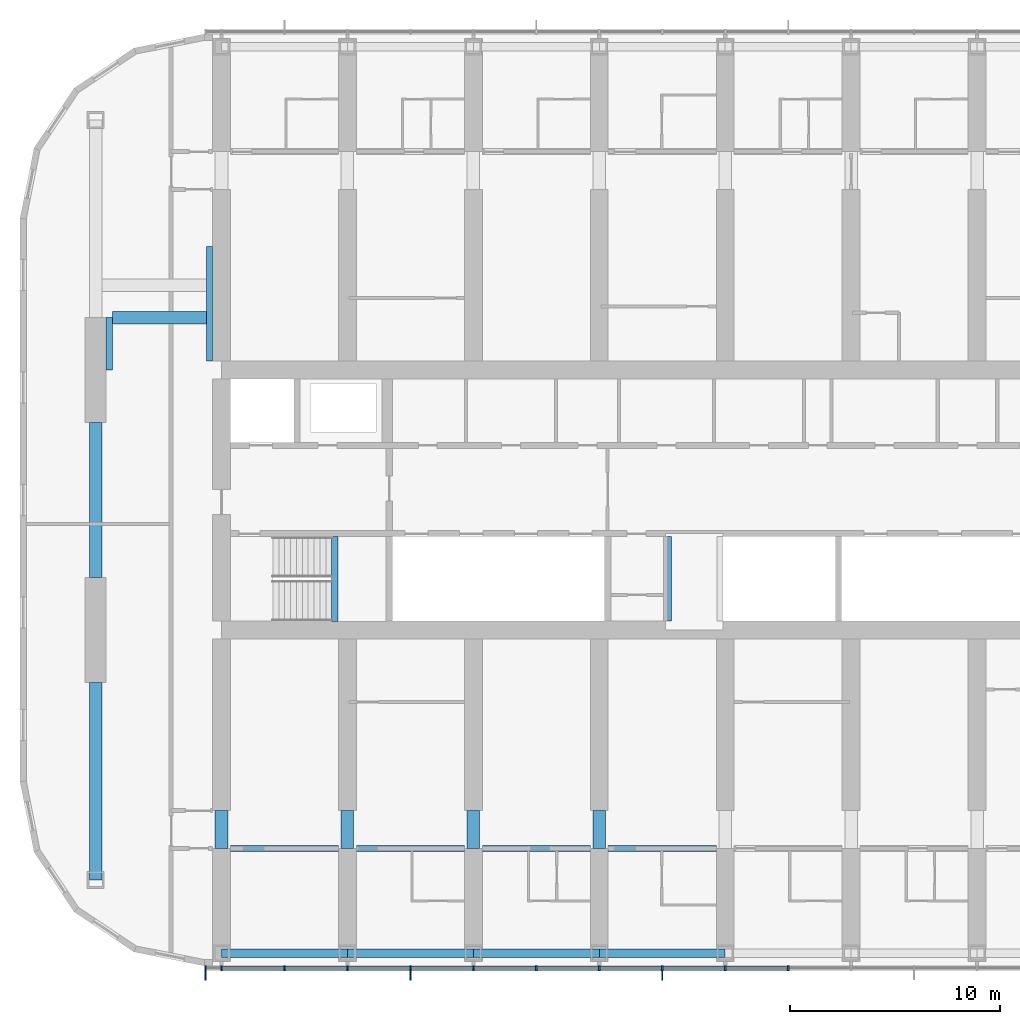
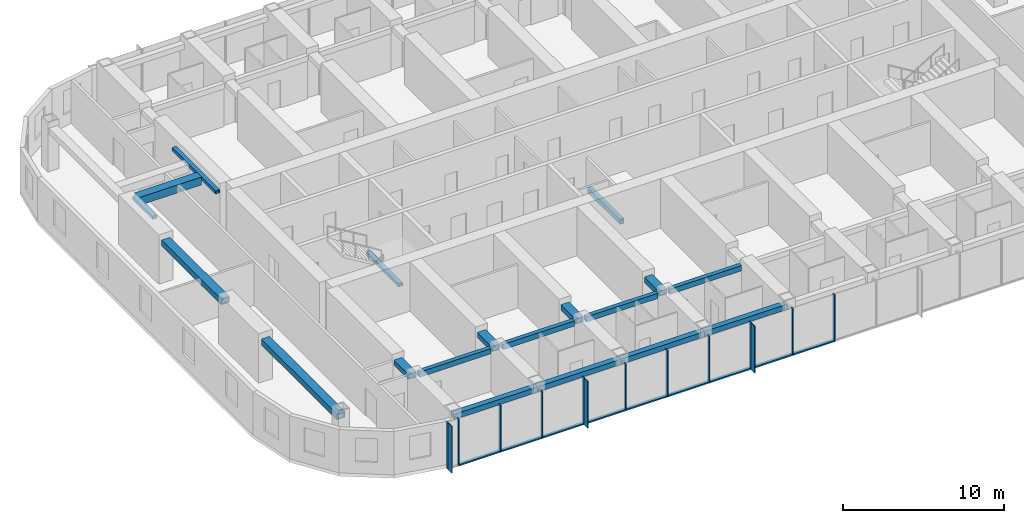
# One storey, part 2 of 22: 23 members, 19 beams, 1 element without a shape of its own.
"""IFC4 building model written with IfcOpenShell, lengths in metres."""

from ifc_helpers import new_model, si_unit, direction, frame, origin, origin_2d, place, context, subcontext, project, spatial, rectangle, hollow_rectangle, extrude, material, material_profile, profile_set, type_object, element, aggregate, save


model = new_model("IFC4")

# Units and contexts
model_context = context("Model", 3, precision=1e-05, world=origin(), true_north=direction((0.0, 1.0)))
body_context = subcontext(model_context, "Body", "Model", "MODEL_VIEW")
ifc_project = project(units=[si_unit("LENGTHUNIT", "METRE"), si_unit("AREAUNIT", "SQUARE_METRE"), si_unit("VOLUMEUNIT", "CUBIC_METRE"), si_unit("PLANEANGLEUNIT", "RADIAN"), si_unit("MASSUNIT", "GRAM", prefix="KILO")], contexts=[model_context])

# Site, building, storey
site_placement = place(None, origin())
site = spatial("IfcSite", under=ifc_project, at=site_placement, CompositionType="ELEMENT")
building_placement = place(site_placement, origin())
building = spatial("IfcBuilding", under=site, at=building_placement, Name="Orbita Commons", CompositionType="ELEMENT")
storey_placement = place(building_placement, frame((0.0, 0.0, 144.85009765625)))
storey = spatial("IfcBuildingStorey", under=building, at=storey_placement, Name="L35", CompositionType="ELEMENT", Elevation=144.85009765625)

# Curtain wall, members
ifc_material_1 = material(Name="Anodised aluminium frame, pale silver", Category="aluminium")
curtain_wall_type = type_object("IfcCurtainWallType", Name="Unitised curtain wall CW-U, full-height vision", PredefinedType="NOTDEFINED", material=ifc_material_1)
curtain_wall_placement = place(storey_placement, origin())
curtain_wall = element("IfcCurtainWall", 1, at=curtain_wall_placement, inside=storey, type_object=curtain_wall_type, Name="Curtain wall south L35", PredefinedType="NOTDEFINED")
ifc_material_2 = material(Name="Anodised aluminium, pale silver", Category="aluminium")
ifc_material_profile_1 = material_profile(ifc_material_2, rectangle(XDim=0.080078125, YDim=0.219970703125, at=origin_2d()), Name="AL 80x220")
ifc_profile_set_1 = profile_set([ifc_material_profile_1], Name="Anodised aluminium, pale silver")
member_type_1 = type_object("IfcMemberType", Name="Curtain wall mullion 80x220", PredefinedType="MULLION", material=ifc_profile_set_1)
member_1_placement = place(storey_placement, frame((17.239990234375, 9.68994140625, -0.25), z_axis=(0.0, 0.0, 1.0), x_axis=(1.0, 0.0, 0.0)))
member_1 = element("IfcMember", 2, at=member_1_placement, type_object=member_type_1, Name="Mullion 1 CW-L35-S", PredefinedType="MULLION", context=body_context, shape_type="SweptSolid", body=[
    extrude(rectangle(XDim=0.080078125, YDim=0.219970703125, at=origin_2d()), origin(), (0.0, 0.0, 1.0), 3.5498046875),
])
member_2_placement = place(storey_placement, frame((18.0, 9.68994140625, -0.25), z_axis=(0.0, 0.0, 1.0), x_axis=(1.0, 0.0, 0.0)))
member_2 = element("IfcMember", 3, at=member_2_placement, type_object=member_type_1, Name="Mullion 2 CW-L35-S", PredefinedType="MULLION", context=body_context, shape_type="SweptSolid", body=[
    extrude(rectangle(XDim=0.080078125, YDim=0.219970703125, at=origin_2d()), origin(), (0.0, 0.0, 1.0), 3.5498046875),
])
member_3_placement = place(storey_placement, frame((21.0, 9.68994140625, -0.25), z_axis=(0.0, 0.0, 1.0), x_axis=(1.0, 0.0, 0.0)))
member_3 = element("IfcMember", 4, at=member_3_placement, type_object=member_type_1, Name="Mullion 3 CW-L35-S", PredefinedType="MULLION", context=body_context, shape_type="SweptSolid", body=[
    extrude(rectangle(XDim=0.080078125, YDim=0.219970703125, at=origin_2d()), origin(), (0.0, 0.0, 1.0), 3.5498046875),
])
member_4_placement = place(storey_placement, frame((24.0, 9.68994140625, -0.25), z_axis=(0.0, 0.0, 1.0), x_axis=(1.0, 0.0, 0.0)))
member_4 = element("IfcMember", 5, at=member_4_placement, type_object=member_type_1, Name="Mullion 4 CW-L35-S", PredefinedType="MULLION", context=body_context, shape_type="SweptSolid", body=[
    extrude(rectangle(XDim=0.080078125, YDim=0.219970703125, at=origin_2d()), origin(), (0.0, 0.0, 1.0), 3.5498046875),
])
member_5_placement = place(storey_placement, frame((27.0, 9.68994140625, -0.25), z_axis=(0.0, 0.0, 1.0), x_axis=(1.0, 0.0, 0.0)))
member_5 = element("IfcMember", 6, at=member_5_placement, type_object=member_type_1, Name="Mullion 5 CW-L35-S", PredefinedType="MULLION", context=body_context, shape_type="SweptSolid", body=[
    extrude(rectangle(XDim=0.080078125, YDim=0.219970703125, at=origin_2d()), origin(), (0.0, 0.0, 1.0), 3.5498046875),
])
member_6_placement = place(storey_placement, frame((30.0, 9.68994140625, -0.25), z_axis=(0.0, 0.0, 1.0), x_axis=(1.0, 0.0, 0.0)))
member_6 = element("IfcMember", 7, at=member_6_placement, type_object=member_type_1, Name="Mullion 6 CW-L35-S", PredefinedType="MULLION", context=body_context, shape_type="SweptSolid", body=[
    extrude(rectangle(XDim=0.080078125, YDim=0.219970703125, at=origin_2d()), origin(), (0.0, 0.0, 1.0), 3.5498046875),
])
member_7_placement = place(storey_placement, frame((33.0, 9.68994140625, -0.25), z_axis=(0.0, 0.0, 1.0), x_axis=(1.0, 0.0, 0.0)))
member_7 = element("IfcMember", 8, at=member_7_placement, type_object=member_type_1, Name="Mullion 7 CW-L35-S", PredefinedType="MULLION", context=body_context, shape_type="SweptSolid", body=[
    extrude(rectangle(XDim=0.080078125, YDim=0.219970703125, at=origin_2d()), origin(), (0.0, 0.0, 1.0), 3.5498046875),
])
member_8_placement = place(storey_placement, frame((36.0, 9.68994140625, -0.25), z_axis=(0.0, 0.0, 1.0), x_axis=(1.0, 0.0, 0.0)))
member_8 = element("IfcMember", 9, at=member_8_placement, type_object=member_type_1, Name="Mullion 8 CW-L35-S", PredefinedType="MULLION", context=body_context, shape_type="SweptSolid", body=[
    extrude(rectangle(XDim=0.080078125, YDim=0.219970703125, at=origin_2d()), origin(), (0.0, 0.0, 1.0), 3.5498046875),
])
member_9_placement = place(storey_placement, frame((39.0, 9.68994140625, -0.25), z_axis=(0.0, 0.0, 1.0), x_axis=(1.0, 0.0, 0.0)))
member_9 = element("IfcMember", 10, at=member_9_placement, type_object=member_type_1, Name="Mullion 9 CW-L35-S", PredefinedType="MULLION", context=body_context, shape_type="SweptSolid", body=[
    extrude(rectangle(XDim=0.080078125, YDim=0.219970703125, at=origin_2d()), origin(), (0.0, 0.0, 1.0), 3.5498046875),
])
member_10_placement = place(storey_placement, frame((42.0, 9.68994140625, -0.25), z_axis=(0.0, 0.0, 1.0), x_axis=(1.0, 0.0, 0.0)))
member_10 = element("IfcMember", 11, at=member_10_placement, type_object=member_type_1, Name="Mullion 10 CW-L35-S", PredefinedType="MULLION", context=body_context, shape_type="SweptSolid", body=[
    extrude(rectangle(XDim=0.080078125, YDim=0.219970703125, at=origin_2d()), origin(), (0.0, 0.0, 1.0), 3.5498046875),
])
member_11_placement = place(storey_placement, frame((45.0, 9.68994140625, -0.25), z_axis=(0.0, 0.0, 1.0), x_axis=(1.0, 0.0, 0.0)))
member_11 = element("IfcMember", 12, at=member_11_placement, type_object=member_type_1, Name="Mullion 11 CW-L35-S", PredefinedType="MULLION", context=body_context, shape_type="SweptSolid", body=[
    extrude(rectangle(XDim=0.080078125, YDim=0.219970703125, at=origin_2d()), origin(), (0.0, 0.0, 1.0), 3.5498046875),
])
ifc_material_3 = material(Name="Anodised aluminium, pale silver", Category="aluminium")
ifc_material_profile_2 = material_profile(ifc_material_3, rectangle(XDim=0.219970703125, YDim=0.10009765625, at=origin_2d()), Name="AL 220x100")
ifc_profile_set_2 = profile_set([ifc_material_profile_2], Name="Anodised aluminium, pale silver")
member_type_2 = type_object("IfcMemberType", Name="Curtain wall stack transom 220x100", PredefinedType="USERDEFINED", material=ifc_profile_set_2)
member_12_placement = place(storey_placement, frame((18.0400390625, 9.68994140625, -0.2001953125), z_axis=(1.0, 0.0, 0.0), x_axis=(0.0, 1.0, 0.0)))
member_12 = element("IfcMember", 13, at=member_12_placement, type_object=member_type_2, Name="Transom 2.1 CW-L35-S", ObjectType="TRANSOM", PredefinedType="USERDEFINED", context=body_context, shape_type="SweptSolid", body=[
    extrude(rectangle(XDim=0.219970703125, YDim=0.10009765625, at=origin_2d()), origin(), (0.0, 0.0, 1.0), 2.919921875),
])
member_13_placement = place(storey_placement, frame((21.0400390625, 9.68994140625, -0.2001953125), z_axis=(1.0, 0.0, 0.0), x_axis=(0.0, 1.0, 0.0)))
member_13 = element("IfcMember", 14, at=member_13_placement, type_object=member_type_2, Name="Transom 3.1 CW-L35-S", ObjectType="TRANSOM", PredefinedType="USERDEFINED", context=body_context, shape_type="SweptSolid", body=[
    extrude(rectangle(XDim=0.219970703125, YDim=0.10009765625, at=origin_2d()), origin(), (0.0, 0.0, 1.0), 2.919921875),
])
member_14_placement = place(storey_placement, frame((24.0400390625, 9.68994140625, -0.2001953125), z_axis=(1.0, 0.0, 0.0), x_axis=(0.0, 1.0, 0.0)))
member_14 = element("IfcMember", 15, at=member_14_placement, type_object=member_type_2, Name="Transom 4.1 CW-L35-S", ObjectType="TRANSOM", PredefinedType="USERDEFINED", context=body_context, shape_type="SweptSolid", body=[
    extrude(rectangle(XDim=0.219970703125, YDim=0.10009765625, at=origin_2d()), origin(), (0.0, 0.0, 1.0), 2.919921875),
])
member_15_placement = place(storey_placement, frame((27.0400390625, 9.68994140625, -0.2001953125), z_axis=(1.0, 0.0, 0.0), x_axis=(0.0, 1.0, 0.0)))
member_15 = element("IfcMember", 16, at=member_15_placement, type_object=member_type_2, Name="Transom 5.1 CW-L35-S", ObjectType="TRANSOM", PredefinedType="USERDEFINED", context=body_context, shape_type="SweptSolid", body=[
    extrude(rectangle(XDim=0.219970703125, YDim=0.10009765625, at=origin_2d()), origin(), (0.0, 0.0, 1.0), 2.919921875),
])
member_16_placement = place(storey_placement, frame((30.0400390625, 9.68994140625, -0.2001953125), z_axis=(1.0, 0.0, 0.0), x_axis=(0.0, 1.0, 0.0)))
member_16 = element("IfcMember", 17, at=member_16_placement, type_object=member_type_2, Name="Transom 6.1 CW-L35-S", ObjectType="TRANSOM", PredefinedType="USERDEFINED", context=body_context, shape_type="SweptSolid", body=[
    extrude(rectangle(XDim=0.219970703125, YDim=0.10009765625, at=origin_2d()), origin(), (0.0, 0.0, 1.0), 2.919921875),
])
member_17_placement = place(storey_placement, frame((33.0400390625, 9.68994140625, -0.2001953125), z_axis=(1.0, 0.0, 0.0), x_axis=(0.0, 1.0, 0.0)))
member_17 = element("IfcMember", 18, at=member_17_placement, type_object=member_type_2, Name="Transom 7.1 CW-L35-S", ObjectType="TRANSOM", PredefinedType="USERDEFINED", context=body_context, shape_type="SweptSolid", body=[
    extrude(rectangle(XDim=0.219970703125, YDim=0.10009765625, at=origin_2d()), origin(), (0.0, 0.0, 1.0), 2.919921875),
])
member_18_placement = place(storey_placement, frame((36.0400390625, 9.68994140625, -0.2001953125), z_axis=(1.0, 0.0, 0.0), x_axis=(0.0, 1.0, 0.0)))
member_18 = element("IfcMember", 19, at=member_18_placement, type_object=member_type_2, Name="Transom 8.1 CW-L35-S", ObjectType="TRANSOM", PredefinedType="USERDEFINED", context=body_context, shape_type="SweptSolid", body=[
    extrude(rectangle(XDim=0.219970703125, YDim=0.10009765625, at=origin_2d()), origin(), (0.0, 0.0, 1.0), 2.919921875),
])
member_19_placement = place(storey_placement, frame((39.0400390625, 9.68994140625, -0.2001953125), z_axis=(1.0, 0.0, 0.0), x_axis=(0.0, 1.0, 0.0)))
member_19 = element("IfcMember", 20, at=member_19_placement, type_object=member_type_2, Name="Transom 9.1 CW-L35-S", ObjectType="TRANSOM", PredefinedType="USERDEFINED", context=body_context, shape_type="SweptSolid", body=[
    extrude(rectangle(XDim=0.219970703125, YDim=0.10009765625, at=origin_2d()), origin(), (0.0, 0.0, 1.0), 2.919921875),
])
member_20_placement = place(storey_placement, frame((42.0400390625, 9.68994140625, -0.2001953125), z_axis=(1.0, 0.0, 0.0), x_axis=(0.0, 1.0, 0.0)))
member_20 = element("IfcMember", 21, at=member_20_placement, type_object=member_type_2, Name="Transom 10.1 CW-L35-S", ObjectType="TRANSOM", PredefinedType="USERDEFINED", context=body_context, shape_type="SweptSolid", body=[
    extrude(rectangle(XDim=0.219970703125, YDim=0.10009765625, at=origin_2d()), origin(), (0.0, 0.0, 1.0), 2.919921875),
])

# Beams
ifc_material_4 = material(Name="Steel ASTM A572 Gr 50 welded plate", Category="steel")
ifc_material_profile_3 = material_profile(ifc_material_4, hollow_rectangle(XDim=0.300048828125, YDim=0.39990234375, WallThickness=0.0400390625, at=origin_2d()), Name="BOX 400x300x40")
ifc_profile_set_3 = profile_set([ifc_material_profile_3], Name="Steel ASTM A572 Gr 50 welded plate")
beam_type_1 = type_object("IfcBeamType", Name="Lift overrun beam steel BOX 400x300x40", PredefinedType="BEAM", material=ifc_profile_set_3)
beam_1_placement = place(storey_placement, frame((39.300048828125, 26.22509765625, 0.7998046875), z_axis=(0.0, 1.0, 0.0), x_axis=(-1.0, 0.0, 0.0)))
element("IfcBeam", 22, at=beam_1_placement, inside=storey, type_object=beam_type_1, Name="Lift overrun roof bank SH2 beam w", PredefinedType="BEAM", context=body_context, shape_type="SweptSolid", body=[
    extrude(hollow_rectangle(XDim=0.300048828125, YDim=0.39990234375, WallThickness=0.0400390625, at=origin_2d()), origin(), (0.0, 0.0, 1.0), 4.02490234375),
])
ifc_material_5 = material(Name="Steel ASTM A572 Gr 50 welded plate", Category="steel")
ifc_material_profile_4 = material_profile(ifc_material_5, hollow_rectangle(XDim=0.300048828125, YDim=0.25, WallThickness=0.02490234375, at=origin_2d()), Name="BOX 250x300x25")
ifc_profile_set_4 = profile_set([ifc_material_profile_4], Name="Steel ASTM A572 Gr 50 welded plate")
beam_type_2 = type_object("IfcBeamType", Name="Stair landing beam steel BOX 250x300x25", PredefinedType="BEAM", material=ifc_profile_set_4)
beam_2_placement = place(storey_placement, frame((23.39990234375, 26.2099609375, 1.5498046875), z_axis=(0.0, 1.0, 0.0), x_axis=(-1.0, 0.0, 0.0)))
element("IfcBeam", 23, at=beam_2_placement, inside=storey, type_object=beam_type_2, Name="Stair S1 landing beam L35 1", PredefinedType="BEAM", context=body_context, shape_type="SweptSolid", body=[
    extrude(hollow_rectangle(XDim=0.300048828125, YDim=0.25, WallThickness=0.02490234375, at=origin_2d()), origin(), (0.0, 0.0, 1.0), 4.054931640625),
])
ifc_material_6 = material(Name="Steel ASTM A572 Gr 50 welded plate", Category="steel")
ifc_material_profile_5 = material_profile(ifc_material_6, hollow_rectangle(XDim=0.60009765625, YDim=0.60009765625, WallThickness=0.06005859375, at=origin_2d()), Name="BOX 600x600x60")
ifc_profile_set_5 = profile_set([ifc_material_profile_5], Name="Steel ASTM A572 Gr 50 welded plate")
beam_type_3 = type_object("IfcBeamType", Name="Stair trimmer beam BOX 600x600x60", PredefinedType="BEAM", material=ifc_profile_set_5)
beam_3_placement = place(storey_placement, frame((12.800048828125, 40.675048828125, 3.0), z_axis=(1.0, 0.0, 0.0), x_axis=(0.0, 1.0, 0.0)))
element("IfcBeam", 24, at=beam_3_placement, inside=storey, type_object=beam_type_3, Name="Neighbourhood stair L36 to L37 transfer beam 1", PredefinedType="BEAM", context=body_context, shape_type="SweptSolid", body=[
    extrude(hollow_rectangle(XDim=0.60009765625, YDim=0.60009765625, WallThickness=0.06005859375, at=origin_2d()), origin(), (0.0, 0.0, 1.0), 4.474853515625),
])
ifc_material_7 = material(Name="Steel ASTM A572 Gr 50 welded plate", Category="steel")
ifc_material_profile_6 = material_profile(ifc_material_7, hollow_rectangle(XDim=0.300048828125, YDim=0.39990234375, WallThickness=0.0400390625, at=origin_2d()), Name="BOX 400x300x40")
ifc_profile_set_6 = profile_set([ifc_material_profile_6], Name="Steel ASTM A572 Gr 50 welded plate")
beam_type_4 = type_object("IfcBeamType", Name="Steel corridor link BOX 400x300x40", PredefinedType="BEAM", material=ifc_profile_set_6)
for number, where, z_axis, x_axis, name in (
    (25, (18.425048828125, 15.39990234375, 3.099853515625), (1.0, 0.0, 0.0), (0.0, 1.0, 0.0), "Corridor beam SA 4-5 L35"),
    (26, (24.425048828125, 15.39990234375, 3.099853515625), (1.0, 0.0, 0.0), (0.0, 1.0, 0.0), "Corridor beam SA 5-6 L35"),
    (27, (30.425048828125, 15.39990234375, 3.099853515625), (1.0, 0.0, 0.0), (0.0, 1.0, 0.0), "Corridor beam SA 6-7 L35"),
    (28, (36.425048828125, 15.39990234375, 3.099853515625), (1.0, 0.0, 0.0), (0.0, 1.0, 0.0), "Corridor beam SA 7-8 L35"),
):
    element("IfcBeam", number, at=place(storey_placement, frame(where, z_axis=z_axis, x_axis=x_axis)), inside=storey, type_object=beam_type_4, Name=name, PredefinedType="BEAM", context=body_context, shape_type="SweptSolid", body=[
        extrude(hollow_rectangle(XDim=0.300048828125, YDim=0.39990234375, WallThickness=0.0400390625, at=origin_2d()), origin(), (0.0, 0.0, 1.0), 5.14990234375),
    ])
ifc_material_8 = material(Name="Steel ASTM A572 Gr 50 welded plate", Category="steel")
ifc_material_profile_7 = material_profile(ifc_material_8, hollow_rectangle(XDim=0.60009765625, YDim=0.39990234375, WallThickness=0.050048828125, at=origin_2d()), Name="BOX 400x600x50")
ifc_profile_set_7 = profile_set([ifc_material_profile_7], Name="Steel ASTM A572 Gr 50 welded plate")
beam_type_5 = type_object("IfcBeamType", Name="Steel coupling link BOX 400x600x50", PredefinedType="LINTEL", material=ifc_profile_set_7)
for number, where, z_axis, x_axis, name in (
    (29, (18.0, 15.39990234375, 3.099853515625), (0.0, 1.0, 0.0), (-1.0, 0.0, 0.0), "Coupling beam 4 south L35"),
    (30, (24.0, 15.39990234375, 3.099853515625), (0.0, 1.0, 0.0), (-1.0, 0.0, 0.0), "Coupling beam 5 south L35"),
    (31, (30.0, 15.39990234375, 3.099853515625), (0.0, 1.0, 0.0), (-1.0, 0.0, 0.0), "Coupling beam 6 south L35"),
    (32, (36.0, 15.39990234375, 3.099853515625), (0.0, 1.0, 0.0), (-1.0, 0.0, 0.0), "Coupling beam 7 south L35"),
):
    element("IfcBeam", number, at=place(storey_placement, frame(where, z_axis=z_axis, x_axis=x_axis)), inside=storey, type_object=beam_type_5, Name=name, PredefinedType="LINTEL", context=body_context, shape_type="SweptSolid", body=[
        extrude(hollow_rectangle(XDim=0.60009765625, YDim=0.39990234375, WallThickness=0.050048828125, at=origin_2d()), origin(), (0.0, 0.0, 1.0), 1.800048828125),
    ])
ifc_material_9 = material(Name="Steel ASTM A572 Gr 50 welded plate", Category="steel")
ifc_material_profile_8 = material_profile(ifc_material_9, hollow_rectangle(XDim=0.60009765625, YDim=0.449951171875, WallThickness=0.06005859375, at=origin_2d()), Name="BOX 450x600x60")
ifc_profile_set_8 = profile_set([ifc_material_profile_8], Name="Steel ASTM A572 Gr 50 welded plate")
beam_type_6 = type_object("IfcBeamType", Name="Steel end frame link BOX 450x600x60", PredefinedType="BEAM", material=ifc_profile_set_8)
beam_4_placement = place(storey_placement, frame((12.0, 13.89990234375, 3.074951171875), z_axis=(0.0, 1.0, 0.0), x_axis=(-1.0, 0.0, 0.0)))
element("IfcBeam", 33, at=beam_4_placement, inside=storey, type_object=beam_type_6, Name="End frame beam 3 B-C L35", PredefinedType="BEAM", context=body_context, shape_type="SweptSolid", body=[
    extrude(hollow_rectangle(XDim=0.60009765625, YDim=0.449951171875, WallThickness=0.06005859375, at=origin_2d()), origin(), (0.0, 0.0, 1.0), 9.400146484375),
])
beam_5_placement = place(storey_placement, frame((12.0, 28.300048828125, 3.074951171875), z_axis=(0.0, 1.0, 0.0), x_axis=(-1.0, 0.0, 0.0)))
element("IfcBeam", 34, at=beam_5_placement, inside=storey, type_object=beam_type_6, Name="End frame beam 3 C-D L35", PredefinedType="BEAM", context=body_context, shape_type="SweptSolid", body=[
    extrude(hollow_rectangle(XDim=0.60009765625, YDim=0.449951171875, WallThickness=0.06005859375, at=origin_2d()), origin(), (0.0, 0.0, 1.0), 7.39990234375),
])
ifc_material_10 = material(Name="Steel ASTM A572 Gr 50 welded plate", Category="steel")
ifc_material_profile_9 = material_profile(ifc_material_10, hollow_rectangle(XDim=0.39990234375, YDim=0.39990234375, WallThickness=0.0400390625, at=origin_2d()), Name="BOX 400x400x40")
ifc_profile_set_9 = profile_set([ifc_material_profile_9], Name="Steel ASTM A572 Gr 50 welded plate")
beam_type_7 = type_object("IfcBeamType", Name="Steel spandrel BOX 400x400x40", PredefinedType="SPANDREL", material=ifc_profile_set_9)
for number, where, z_axis, x_axis, name in (
    (35, (18.0, 10.39990234375, 3.099853515625), (1.0, 0.0, 0.0), (0.0, 1.0, 0.0), "Spandrel beam B 4-5 L35"),
    (36, (24.0, 10.39990234375, 3.099853515625), (1.0, 0.0, 0.0), (0.0, 1.0, 0.0), "Spandrel beam B 5-6 L35"),
    (37, (30.0, 10.39990234375, 3.099853515625), (1.0, 0.0, 0.0), (0.0, 1.0, 0.0), "Spandrel beam B 6-7 L35"),
    (38, (36.0, 10.39990234375, 3.099853515625), (1.0, 0.0, 0.0), (0.0, 1.0, 0.0), "Spandrel beam B 7-8 L35"),
):
    element("IfcBeam", number, at=place(storey_placement, frame(where, z_axis=z_axis, x_axis=x_axis)), inside=storey, type_object=beam_type_7, Name=name, PredefinedType="SPANDREL", context=body_context, shape_type="SweptSolid", body=[
        extrude(hollow_rectangle(XDim=0.39990234375, YDim=0.39990234375, WallThickness=0.0400390625, at=origin_2d()), origin(), (0.0, 0.0, 1.0), 6.0),
    ])
ifc_material_11 = material(Name="Steel ASTM A572 Gr 50 welded plate", Category="steel")
ifc_material_profile_10 = material_profile(ifc_material_11, hollow_rectangle(XDim=0.300048828125, YDim=0.25, WallThickness=0.02490234375, at=origin_2d()), Name="BOX 250x300x25")
ifc_profile_set_10 = profile_set([ifc_material_profile_10], Name="Steel ASTM A572 Gr 50 welded plate")
beam_type_8 = type_object("IfcBeamType", Name="Trimmer ledger beam BOX 250x300x25", PredefinedType="BEAM", material=ifc_profile_set_10)
beam_6_placement = place(storey_placement, frame((12.64990234375, 38.199951171875, 3.1748046875), z_axis=(0.0, 1.0, 0.0), x_axis=(-1.0, 0.0, 0.0)))
element("IfcBeam", 39, at=beam_6_placement, inside=storey, type_object=beam_type_8, Name="Neighbourhood stair L36 to L37 trimmer ledger 1W", PredefinedType="BEAM", context=body_context, shape_type="SweptSolid", body=[
    extrude(hollow_rectangle(XDim=0.300048828125, YDim=0.25, WallThickness=0.02490234375, at=origin_2d()), origin(), (0.0, 0.0, 1.0), 2.5),
])
beam_7_placement = place(storey_placement, frame((17.425048828125, 38.625, 3.1748046875), z_axis=(0.0, 1.0, 0.0), x_axis=(-1.0, 0.0, 0.0)))
element("IfcBeam", 40, at=beam_7_placement, inside=storey, type_object=beam_type_8, Name="Neighbourhood stair L36 to L37 trimmer ledger 1E", PredefinedType="BEAM", context=body_context, shape_type="SweptSolid", body=[
    extrude(hollow_rectangle(XDim=0.300048828125, YDim=0.25, WallThickness=0.02490234375, at=origin_2d()), origin(), (0.0, 0.0, 1.0), 5.449951171875),
])

# Member
ifc_material_12 = material(Name="Anodised aluminium, pale silver", Category="aluminium")
ifc_material_profile_11 = material_profile(ifc_material_12, rectangle(XDim=0.06005859375, YDim=0.449951171875, at=origin_2d()), Name="FIN 60x450")
ifc_profile_set_11 = profile_set([ifc_material_profile_11], Name="Anodised aluminium, pale silver")
member_type_3 = type_object("IfcMemberType", Name="Vertical fin 60x450 pale aluminium", PredefinedType="USERDEFINED", material=ifc_profile_set_11)
member_21_placement = place(storey_placement, frame((17.239990234375, 9.35498046875, -0.25), z_axis=(0.0, 0.0, 1.0), x_axis=(1.0, 0.0, 0.0)))
member_21 = element("IfcMember", 41, at=member_21_placement, type_object=member_type_3, Name="Fin 1 CW-L35-S", ObjectType="FIN", PredefinedType="USERDEFINED", context=body_context, shape_type="SweptSolid", body=[
    extrude(rectangle(XDim=0.06005859375, YDim=0.449951171875, at=origin_2d()), origin(), (0.0, 0.0, 1.0), 3.5498046875),
])

member_22_placement = place(storey_placement, frame((27.0, 9.35498046875, -0.25), z_axis=(0.0, 0.0, 1.0), x_axis=(1.0, 0.0, 0.0)))
member_22 = element("IfcMember", 42, at=member_22_placement, type_object=member_type_3, Name="Fin 5 CW-L35-S", ObjectType="FIN", PredefinedType="USERDEFINED", context=body_context, shape_type="SweptSolid", body=[
    extrude(rectangle(XDim=0.06005859375, YDim=0.449951171875, at=origin_2d()), origin(), (0.0, 0.0, 1.0), 3.5498046875),
])

member_23_placement = place(storey_placement, frame((39.0, 9.35498046875, -0.25), z_axis=(0.0, 0.0, 1.0), x_axis=(1.0, 0.0, 0.0)))
member_23 = element("IfcMember", 43, at=member_23_placement, type_object=member_type_3, Name="Fin 9 CW-L35-S", ObjectType="FIN", PredefinedType="USERDEFINED", context=body_context, shape_type="SweptSolid", body=[
    extrude(rectangle(XDim=0.06005859375, YDim=0.449951171875, at=origin_2d()), origin(), (0.0, 0.0, 1.0), 3.5498046875),
])

aggregate(curtain_wall, [member_1, member_21, member_2, member_3, member_4, member_5, member_22, member_6, member_7, member_8, member_9, member_23, member_10, member_11, member_12, member_13, member_14, member_15, member_16, member_17, member_18, member_19, member_20])

save(model, "model.ifc")
